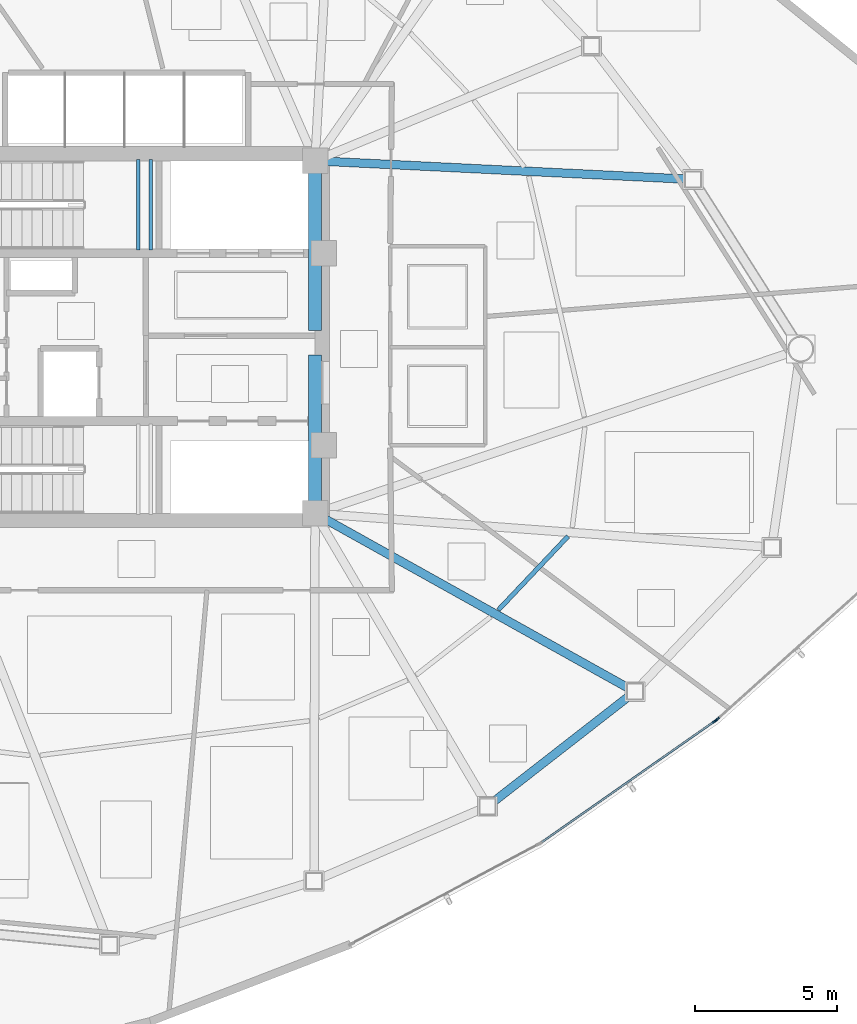
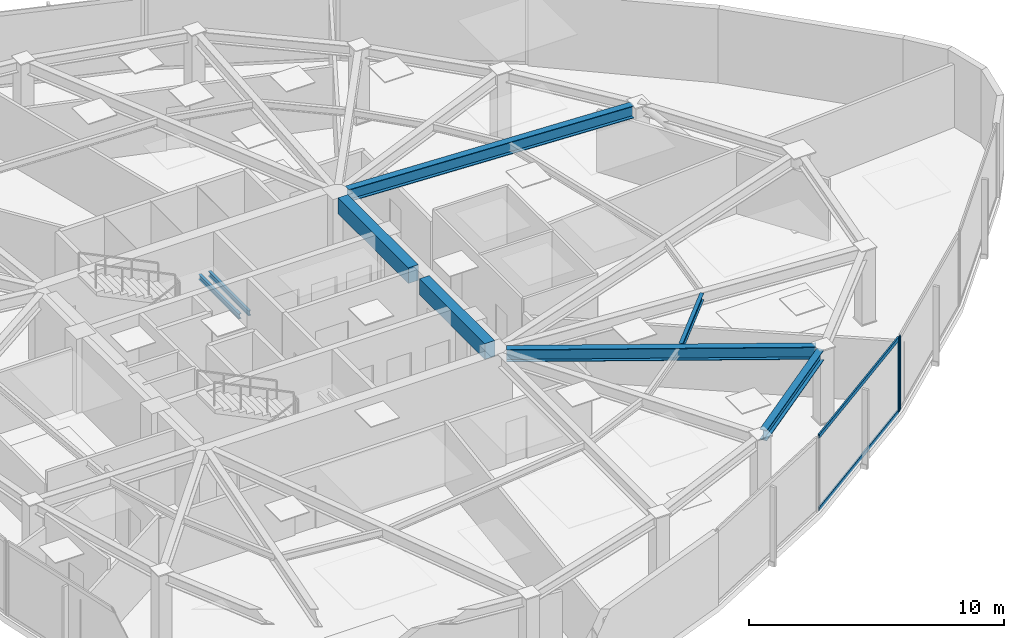
# One storey, part 5 of 17: 8 beams, 4 members, 2 elements without a shape of their own.
"""IFC4 building model written with IfcOpenShell, lengths in metres."""

from ifc_helpers import new_model, si_unit, direction, frame, origin, origin_2d, place, context, subcontext, project, spatial, rectangle, hollow_rectangle, i_section, extrude, source, transform, mapped, material, layer, layer_set, material_profile, profile_set, type_object, type_shapes, element, aggregate, save


model = new_model("IFC4")

# Units and contexts
model_context = context("Model", 3, precision=1e-05, world=origin(), true_north=direction((0.0, 1.0)))
body_context = subcontext(model_context, "Body", "Model", "MODEL_VIEW")
ifc_project = project(units=[si_unit("LENGTHUNIT", "METRE"), si_unit("AREAUNIT", "SQUARE_METRE"), si_unit("VOLUMEUNIT", "CUBIC_METRE"), si_unit("PLANEANGLEUNIT", "RADIAN"), si_unit("MASSUNIT", "GRAM", prefix="KILO")], contexts=[model_context])

# Site, building, storey
site_placement = place(None, origin())
site = spatial("IfcSite", under=ifc_project, at=site_placement, CompositionType="ELEMENT")
building_placement = place(site_placement, origin())
building = spatial("IfcBuilding", under=site, at=building_placement, Name="Tavelor Broadcast Tower", CompositionType="ELEMENT")
storey_placement = place(building_placement, frame((0.0, 0.0, 165.64990234375)))
storey = spatial("IfcBuildingStorey", under=building, at=storey_placement, Name="L39", CompositionType="ELEMENT", Elevation=165.64990234375)

# Beams
ifc_material_1 = material(Name="Concrete C40/50", Category="concrete")
ifc_material_profile_1 = material_profile(ifc_material_1, rectangle(XDim=0.449951171875, YDim=0.75, at=origin_2d()), Name="RC 450x750")
ifc_profile_set_1 = profile_set([ifc_material_profile_1], Name="Concrete C40/50")
beam_type_1 = type_object("IfcBeamType", Name="Basement Core Trim Beam 450x750", PredefinedType="BEAM", material=ifc_profile_set_1)
beam_1_placement = place(storey_placement, frame((56.60009765625, 45.23193359375, 3.175048828125), z_axis=(0.0, 1.0, 0.0), x_axis=(-1.0, 0.0, 0.0)))
element("IfcBeam", 1, at=beam_1_placement, inside=storey, type_object=beam_type_1, Name="L39 Core East-N Tie Girder", PredefinedType="BEAM", context=body_context, shape_type="SweptSolid", body=[
    extrude(rectangle(XDim=0.449951171875, YDim=0.75, at=origin_2d()), origin(), (0.0, 0.0, 1.0), 5.5361328125),
])
beam_2_placement = place(storey_placement, frame((56.60009765625, 39.23193359375, 3.175048828125), z_axis=(0.0, 1.0, 0.0), x_axis=(-1.0, 0.0, 0.0)))
element("IfcBeam", 2, at=beam_2_placement, inside=storey, type_object=beam_type_1, Name="L39 Core East-S Tie Girder", PredefinedType="BEAM", context=body_context, shape_type="SweptSolid", body=[
    extrude(rectangle(XDim=0.449951171875, YDim=0.75, at=origin_2d()), origin(), (0.0, 0.0, 1.0), 5.135986328125),
])
ifc_material_2 = material(Name="Steel S355", Category="steel")
ifc_material_profile_2 = material_profile(ifc_material_2, i_section(OverallWidth=0.159912109375, OverallDepth=0.330078125, WebThickness=0.007568359375, FlangeThickness=0.011474609375, at=origin_2d()), Name="IPE 330")
ifc_profile_set_2 = profile_set([ifc_material_profile_2], Name="Steel S355")
beam_type_2 = type_object("IfcBeamType", Name="Composite Floor Joist T4 IPE 330", PredefinedType="JOIST", material=ifc_profile_set_2)
beam_3_placement = place(storey_placement, frame((63.04541015625, 35.4072265625, 3.385009765625), z_axis=(0.687334543524, 0.726340984166, 0.0), x_axis=(-0.726340984166, 0.687334543524, 0.0)))
element("IfcBeam", 3, at=beam_3_placement, inside=storey, type_object=beam_type_2, Name="L39 Secondary Composite Floor Joist 11", PredefinedType="JOIST", context=body_context, shape_type="SweptSolid", body=[
    extrude(i_section(OverallWidth=0.159912109375, OverallDepth=0.330078125, WebThickness=0.007568359375, FlangeThickness=0.011474609375, at=origin_2d()), origin(), (0.0, 0.0, 1.0), 3.567626953125),
])
ifc_material_profile_3 = material_profile(ifc_material_2, i_section(OverallWidth=0.300048828125, OverallDepth=0.5, WebThickness=0.014404296875, FlangeThickness=0.028076171875, at=origin_2d()), Name="HEB 500")
ifc_profile_set_3 = profile_set([ifc_material_profile_3], Name="Steel S355")
beam_type_3 = type_object("IfcBeamType", Name="Perimeter Spandrel Beam T4 HEB 500", PredefinedType="SPANDREL", material=ifc_profile_set_3)
beam_4_placement = place(storey_placement, frame((62.896484375, 28.68017578125, 3.300048828125), z_axis=(0.788978387361, 0.614420950389, 0.0), x_axis=(-0.614420950389, 0.788978387361, 0.0)))
element("IfcBeam", 4, at=beam_4_placement, inside=storey, type_object=beam_type_3, Name="L39 Framed-Tube Ring Spandrel 10", PredefinedType="SPANDREL", context=body_context, shape_type="SweptSolid", body=[
    extrude(i_section(OverallWidth=0.300048828125, OverallDepth=0.5, WebThickness=0.014404296875, FlangeThickness=0.028076171875, at=origin_2d()), origin(), (0.0, 0.0, 1.0), 5.98046875),
])
ifc_material_profile_4 = material_profile(ifc_material_2, i_section(OverallWidth=0.300048828125, OverallDepth=0.590087890625, WebThickness=0.012939453125, FlangeThickness=0.02490234375, at=origin_2d()), Name="HEA 600")
ifc_profile_set_4 = profile_set([ifc_material_profile_4], Name="Steel S355")
beam_type_4 = type_object("IfcBeamType", Name="Radial Floor Girder T4 HEA 600", PredefinedType="BEAM", material=ifc_profile_set_4)
beam_5_placement = place(storey_placement, frame((56.977294921875, 38.589599609375, 3.255126953125), z_axis=(0.8734199139, -0.486967816187, 0.0), x_axis=(0.486967816187, 0.8734199139, 0.0)))
element("IfcBeam", 5, at=beam_5_placement, inside=storey, type_object=beam_type_4, Name="L39 Radial Primary Floor Girder 11", PredefinedType="BEAM", context=body_context, shape_type="SweptSolid", body=[
    extrude(i_section(OverallWidth=0.300048828125, OverallDepth=0.590087890625, WebThickness=0.012939453125, FlangeThickness=0.02490234375, at=origin_2d()), origin(), (0.0, 0.0, 1.0), 12.151611328125),
])
beam_6_placement = place(storey_placement, frame((57.031494140625, 51.1787109375, 3.255126953125), z_axis=(0.998783784198, -0.049304689662, 0.0), x_axis=(0.049304689662, 0.998783784198, 0.0)))
element("IfcBeam", 6, at=beam_6_placement, inside=storey, type_object=beam_type_4, Name="L39 Radial Primary Floor Girder 14", PredefinedType="BEAM", context=body_context, shape_type="SweptSolid", body=[
    extrude(i_section(OverallWidth=0.300048828125, OverallDepth=0.590087890625, WebThickness=0.012939453125, FlangeThickness=0.02490234375, at=origin_2d()), origin(), (0.0, 0.0, 1.0), 12.582275390625),
])
ifc_material_profile_5 = material_profile(ifc_material_2, i_section(OverallWidth=0.1201171875, OverallDepth=0.239990234375, WebThickness=0.006103515625, FlangeThickness=0.009765625, at=origin_2d()), Name="IPE 240")
ifc_profile_set_5 = profile_set([ifc_material_profile_5], Name="Steel S355")
beam_type_5 = type_object("IfcBeamType", Name="Stairwell Landing Support Trimmer Beam IPE240", PredefinedType="BEAM", material=ifc_profile_set_5)
for number, where, z_axis, x_axis, name in (
    (7, (50.385009765625, 48.06005859375, 1.610107421875), (0.0, 1.0, 0.0), (-1.0, 0.0, 0.0), "L39 Stair Landing Support Beam 111"),
    (8, (50.824951171875, 48.06005859375, 1.610107421875), (0.0, 1.0, 0.0), (-1.0, 0.0, 0.0), "L39 Stair Landing Support Beam 112"),
):
    element("IfcBeam", number, at=place(storey_placement, frame(where, z_axis=z_axis, x_axis=x_axis)), inside=storey, type_object=beam_type_5, Name=name, PredefinedType="BEAM", context=body_context, shape_type="SweptSolid", body=[
        extrude(i_section(OverallWidth=0.1201171875, OverallDepth=0.239990234375, WebThickness=0.006103515625, FlangeThickness=0.009765625, at=origin_2d()), origin(), (0.0, 0.0, 1.0), 3.179931640625),
    ])

# Curtain wall, member
ifc_material_3 = material(Name="Architectural Anodized Aluminium", Category="aluminium")
ifc_layer = layer(ifc_material_3, 0.18994140625)
ifc_layer_set = layer_set([ifc_layer], Name="Architectural Anodized Aluminium")
curtain_wall_type = type_object("IfcCurtainWallType", Name="Tower Mid-Zone Acoustic Curtain Wall CW03", PredefinedType="NOTDEFINED", material=ifc_layer_set)
curtain_wall_1_placement = place(storey_placement, origin())
curtain_wall_1 = element("IfcCurtainWall", 9, at=curtain_wall_1_placement, inside=storey, type_object=curtain_wall_type, Name="L39 Curtain Wall CW03 Run 414", PredefinedType="NOTDEFINED")
ifc_material_profile_6 = material_profile(ifc_material_3, hollow_rectangle(XDim=0.068115234375, YDim=0.18994140625, WallThickness=0.02197265625, at=origin_2d()), Name="RHS 68x190x22")
ifc_profile_set_6 = profile_set([ifc_material_profile_6], Name="Architectural Anodized Aluminium")
member_type_1 = type_object("IfcMemberType", Name="CW03 Extruded Aluminium Mullion 68x190", PredefinedType="MULLION", material=ifc_profile_set_6)
shared_shape_1 = source(origin(), body_context, "Body", "SweptSolid", [
    extrude(hollow_rectangle(XDim=0.068115234375, YDim=0.18994140625, WallThickness=0.02197265625, at=origin_2d()), origin(), (0.0, 0.0, 1.0), 3.550048828125),
])
type_shapes(member_type_1, [shared_shape_1])
member_1_placement = place(storey_placement, frame((70.660400390625, 31.499755859375, 0.0), z_axis=(0.0, 0.0, 1.0), x_axis=(-0.57321795093, 0.819402941617, 0.0)))
member_1 = element("IfcMember", 10, at=member_1_placement, type_object=member_type_1, Name="CW03 mullion 2", PredefinedType="MULLION", context=body_context, shape_type="MappedRepresentation", body=[
    mapped(shared_shape_1, transform((0.0, 0.0, 0.0), scale=1.0)),
])

curtain_wall_2_placement = place(storey_placement, origin())
curtain_wall_2 = element("IfcCurtainWall", 11, at=curtain_wall_2_placement, inside=storey, type_object=curtain_wall_type, Name="L39 Curtain Wall CW03 Run 415", PredefinedType="NOTDEFINED")
member_2_placement = place(storey_placement, frame((70.73681640625, 31.560546875, 0.0), z_axis=(0.0, 0.0, 1.0), x_axis=(-0.668170713104, 0.744007996026, 0.0)))
member_2 = element("IfcMember", 12, at=member_2_placement, type_object=member_type_1, Name="CW03 mullion 1", PredefinedType="MULLION", context=body_context, shape_type="MappedRepresentation", body=[
    mapped(shared_shape_1, transform((0.0, 0.0, 0.0), scale=1.0)),
])
aggregate(curtain_wall_2, [member_2])

# Member
ifc_material_profile_7 = material_profile(ifc_material_3, hollow_rectangle(XDim=0.068115234375, YDim=0.18994140625, WallThickness=0.02197265625, at=origin_2d()), Name="RHS 68x190x22")
ifc_profile_set_7 = profile_set([ifc_material_profile_7], Name="Architectural Anodized Aluminium")
member_type_2 = type_object("IfcMemberType", Name="CW03 Extruded Aluminium Transom 68x190", PredefinedType="USERDEFINED", material=ifc_profile_set_7)
shared_shape_2 = source(origin(), body_context, "Body", "SweptSolid", [
    extrude(hollow_rectangle(XDim=0.068115234375, YDim=0.18994140625, WallThickness=0.02197265625, at=origin_2d()), origin(), (0.0, 0.0, 1.0), 7.389404296875),
])
type_shapes(member_type_2, [shared_shape_2])
member_3_placement = place(storey_placement, frame((64.57763671875, 27.24462890625, 0.0341796875), z_axis=(0.819413486006, 0.573202877655, 0.0), x_axis=(-0.573202877655, 0.819413486006, 0.0)))
member_3 = element("IfcMember", 13, at=member_3_placement, type_object=member_type_2, Name="CW03 transom 1.1", ObjectType="TRANSOM", PredefinedType="USERDEFINED", context=body_context, shape_type="MappedRepresentation", body=[
    mapped(shared_shape_2, transform((0.0, 0.0, 0.0), scale=1.0)),
])

member_4_placement = place(storey_placement, frame((64.57763671875, 27.24462890625, 3.51611328125), z_axis=(0.819413486006, 0.573202877655, 0.0), x_axis=(-0.573202877655, 0.819413486006, 0.0)))
member_4 = element("IfcMember", 14, at=member_4_placement, type_object=member_type_2, Name="CW03 transom 1.2", ObjectType="TRANSOM", PredefinedType="USERDEFINED", context=body_context, shape_type="MappedRepresentation", body=[
    mapped(shared_shape_2, transform((0.0, 0.0, 0.0), scale=1.0)),
])

aggregate(curtain_wall_1, [member_1, member_3, member_4])

save(model, "model.ifc")
